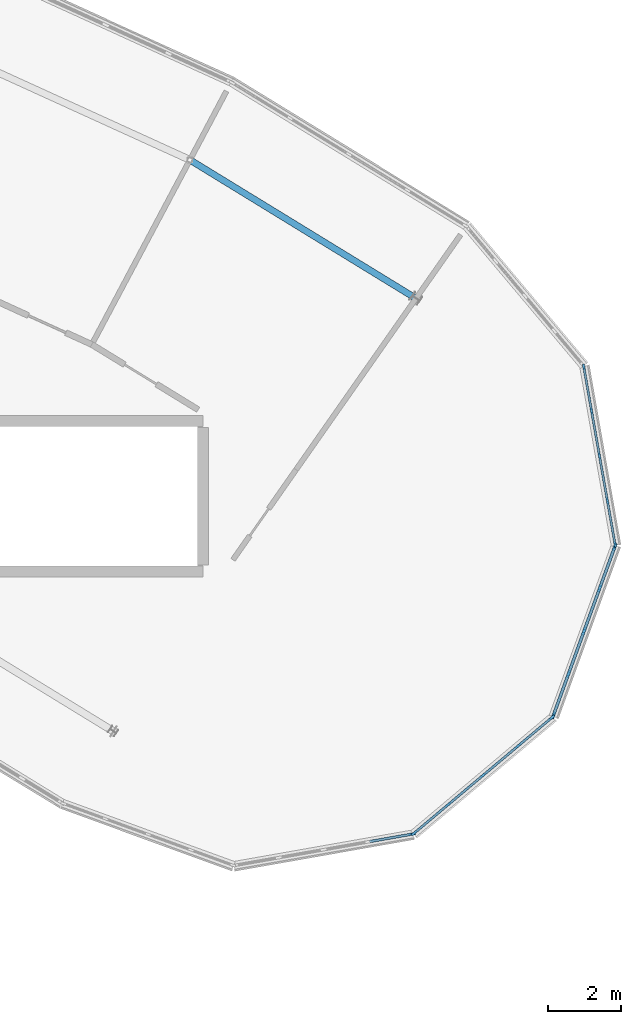
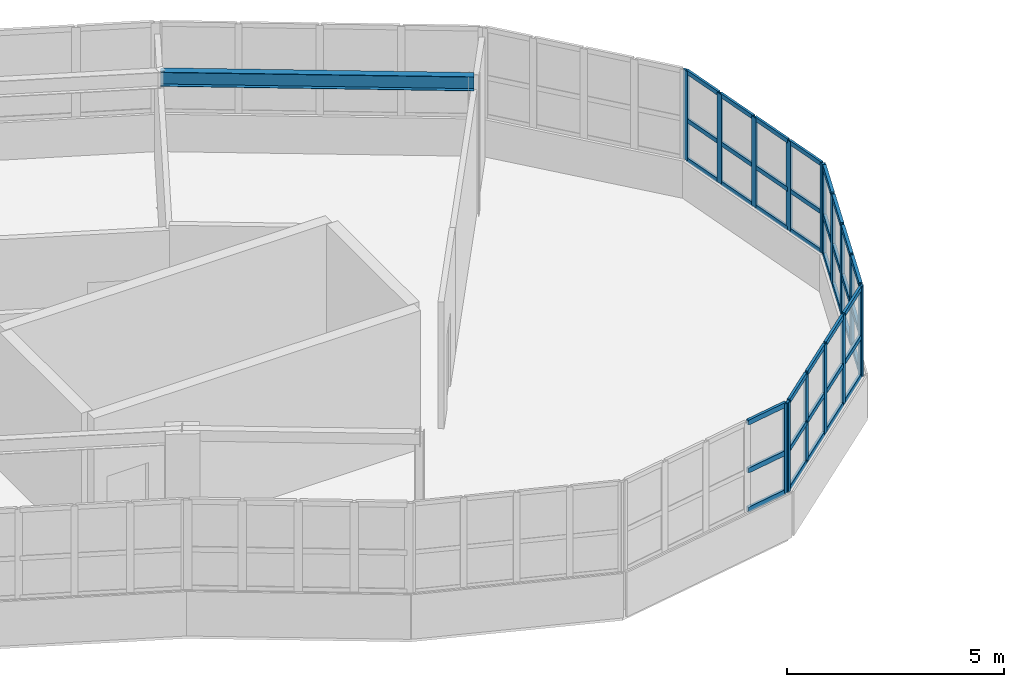
# One storey, part 13 of 26: 55 members, 1 beam, 4 elements without a shape of their own.
"""IFC4 building model written with IfcOpenShell, lengths in metres."""

import ifcopenshell
import ifcopenshell.guid

model = None  # the IFC model being written
_history = None  # IfcOwnerHistory: only IFC2X3 demands one
_inside = {}  # id of a spatial element -> (the spatial element, [elements in it])
_under = {}  # id of a project, library or spatial element -> (it, [spatial elements below it])
_declared = {}  # id of a project -> (the project, [libraries it declares])
_typed = {}  # id of a type object -> (the type object, [elements of that type])
_made_of = {}  # id of a material, layer set ... -> (it, [elements and type objects made of it])


def new_model(schema):
    """Start an empty IFC model of exactly this schema.

    Asked for "IFC4X3", IfcOpenShell would pick the latest addendum, in which some entities
    have other attributes; the version numbers below select the first issue.
    IFC2X3 requires an IfcOwnerHistory on every rooted entity: one is made here for all.
    """
    global model, _history
    if schema == "IFC4X3":
        model = ifcopenshell.file(schema_version=(4, 3, 0, 0))
    else:
        model = ifcopenshell.file(schema=schema)
    _inside.clear()
    _under.clear()
    _declared.clear()
    _typed.clear()
    _made_of.clear()
    _history = None
    if model.schema == "IFC2X3":
        org = make("IfcOrganization", Name="unknown")
        user = make(
            "IfcPersonAndOrganization",
            ThePerson=make("IfcPerson", FamilyName="unknown"),
            TheOrganization=org,
        )
        app = make(
            "IfcApplication",
            ApplicationDeveloper=org,
            Version="unknown",
            ApplicationFullName="unknown",
            ApplicationIdentifier="unknown",
        )
        _history = make(
            "IfcOwnerHistory",
            OwningUser=user,
            OwningApplication=app,
            ChangeAction="ADDED",
            CreationDate=0,
        )
    return model


def make(cls, **values):
    """One entity of the class cls with the attributes given. An attribute that is None is left unset."""
    return model.create_entity(
        cls, **{name: value for name, value in values.items() if value is not None}
    )


def rooted(cls, **values):
    """An entity with a GlobalId (a new one), such as an element, a storey or a relation."""
    return make(cls, GlobalId=ifcopenshell.guid.new(), OwnerHistory=_history, **values)


def si_unit(unit_type, name, prefix=None):
    """IfcSIUnit, for example si_unit("LENGTHUNIT", "METRE", prefix="MILLI")."""
    return make("IfcSIUnit", UnitType=unit_type, Prefix=prefix, Name=name)


def assignment(units):
    """IfcUnitAssignment: the units of a project."""
    return None if units is None else make("IfcUnitAssignment", Units=units)


def point(xyz):
    """IfcCartesianPoint."""
    return None if xyz is None else make("IfcCartesianPoint", Coordinates=xyz)


def direction(xyz):
    """IfcDirection."""
    return None if xyz is None else make("IfcDirection", DirectionRatios=xyz)


def frame(location, z_axis=None, x_axis=None):
    """IfcAxis2Placement3D, a coordinate frame: its origin and axes. An axis left out is left unset."""
    return make(
        "IfcAxis2Placement3D",
        Location=point(location),
        Axis=direction(z_axis),
        RefDirection=direction(x_axis),
    )


def frame_2d(location, x_axis=None):
    """IfcAxis2Placement2D, a coordinate frame in the plane: its origin and x axis."""
    return make(
        "IfcAxis2Placement2D", Location=point(location), RefDirection=direction(x_axis)
    )


def origin():
    """The frame at (0, 0, 0) with its axes left unset."""
    return frame((0.0, 0.0, 0.0))


def origin_2d():
    """The frame at (0, 0) in the plane with its x axis left unset."""
    return frame_2d((0.0, 0.0))


def place(relative_to, where):
    """IfcLocalPlacement: puts the frame where relative to a parent placement (None: the world)."""
    return make(
        "IfcLocalPlacement", PlacementRelTo=relative_to, RelativePlacement=where
    )


def context(
    kind, dimensions, precision=None, world=None, true_north=None, identifier=None
):
    """IfcGeometricRepresentationContext, for example the 3D "Model" context."""
    return make(
        "IfcGeometricRepresentationContext",
        ContextIdentifier=identifier,
        ContextType=kind,
        CoordinateSpaceDimension=dimensions,
        Precision=precision,
        WorldCoordinateSystem=world,
        TrueNorth=true_north,
    )


def subcontext(parent, identifier, kind, view, scale=None):
    """IfcGeometricRepresentationSubContext, for example "Body" below "Model"."""
    return make(
        "IfcGeometricRepresentationSubContext",
        ContextIdentifier=identifier,
        ContextType=kind,
        ParentContext=parent,
        TargetScale=scale,
        TargetView=view,
    )


def project(units=None, contexts=None):
    """IfcProject with its units and contexts."""
    return rooted(
        "IfcProject",
        Name="project",
        RepresentationContexts=contexts,
        UnitsInContext=assignment(units),
    )


def spatial(cls, under=None, at=None, **own):
    """A site, building, storey or space (cls), placed at a placement, below another one or the project."""
    s = rooted(cls, ObjectPlacement=at, **own)
    if under is not None:
        _under.setdefault(under.id(), (under, []))[1].append(s)
    return s


def profile(cls, at=None, kind="AREA", **sizes):
    """A parametric profile (cls). Its sizes go by their IFC names, for example OverallWidth=200.0."""
    return make(cls, ProfileType=kind, Position=at, **sizes)


def rectangle(**sizes):
    """IfcRectangleProfileDef."""
    return profile("IfcRectangleProfileDef", **sizes)


def i_section(**sizes):
    """IfcIShapeProfileDef."""
    return profile("IfcIShapeProfileDef", **sizes)


def extrude(swept, where, along, depth):
    """IfcExtrudedAreaSolid: the profile swept, set in the frame where, extruded along a direction by depth."""
    return make(
        "IfcExtrudedAreaSolid",
        SweptArea=swept,
        Position=where,
        ExtrudedDirection=direction(along),
        Depth=depth,
    )


def shape(context_of_items, identifier, shape_type, items):
    """IfcShapeRepresentation: the items that make up one representation, for example the "Body"."""
    return make(
        "IfcShapeRepresentation",
        ContextOfItems=context_of_items,
        RepresentationIdentifier=identifier,
        RepresentationType=shape_type,
        Items=items,
    )


def material(Name=None, Category=None):
    """IfcMaterial."""
    return make("IfcMaterial", Name=Name, Category=Category)


def layer(
    of_material, thickness, ventilated=None, Name=None, Category=None, Priority=None
):
    """IfcMaterialLayer: one layer of a wall or slab, of a material (None: an air gap)."""
    return make(
        "IfcMaterialLayer",
        Material=of_material,
        LayerThickness=thickness,
        IsVentilated=ventilated,
        Name=Name,
        Category=Category,
        Priority=Priority,
    )


def layer_set(layers, Name=None):
    """IfcMaterialLayerSet."""
    return make("IfcMaterialLayerSet", MaterialLayers=layers, LayerSetName=Name)


def material_profile(
    of_material, cross_section, Name=None, Category=None, Priority=None
):
    """IfcMaterialProfile: a cross section and its material."""
    return make(
        "IfcMaterialProfile",
        Name=Name,
        Material=of_material,
        Profile=cross_section,
        Priority=Priority,
        Category=Category,
    )


def profile_set(profiles, Name=None, composite=None):
    """IfcMaterialProfileSet."""
    return make(
        "IfcMaterialProfileSet",
        Name=Name,
        MaterialProfiles=profiles,
        CompositeProfile=composite,
    )


def made_of(thing, what):
    """Note that an element or type object is made of a material, layer set ...; save() writes the relation."""
    if what is not None:
        _made_of.setdefault(what.id(), (what, []))[1].append(thing)
    return thing


def type_object(cls, material=None, **own):
    """A type object (cls), such as IfcWallType, which elements share."""
    return made_of(rooted(cls, **own), material)


def element(
    cls,
    number,
    at=None,
    inside=None,
    cuts=None,
    type_object=None,
    material=None,
    context=None,
    identifier="Body",
    shape_type=None,
    held_by="IfcProductDefinitionShape",
    body=None,
    shapes=None,
    **own,
):
    """One element of the class cls, such as IfcWall. Its Tag is "e" and its number.

    at: its placement. inside: the storey or other place that contains it. cuts: it is an
    opening in that element (IfcRelVoidsElement). A single representation is given by context,
    identifier, shape_type and body (its items); several are given by shapes. held_by: the class
    of the entity that holds the representations. save() writes the other relations.
    """
    e = rooted(cls, Tag="e%d" % number, ObjectPlacement=at, **own)
    if body is not None:
        shapes = [shape(context, identifier, shape_type, body)]
    if shapes is not None:
        e.Representation = make(held_by, Representations=shapes)
    if inside is not None:
        _inside.setdefault(inside.id(), (inside, []))[1].append(e)
    if cuts is not None:
        rooted(
            "IfcRelVoidsElement", RelatingBuildingElement=cuts, RelatedOpeningElement=e
        )
    if type_object is not None:
        _typed.setdefault(type_object.id(), (type_object, []))[1].append(e)
    return made_of(e, material)


def aggregate(whole, parts):
    """IfcRelAggregates: a whole, such as a stair, and the parts it consists of."""
    return rooted("IfcRelAggregates", RelatingObject=whole, RelatedObjects=parts)


def save(model, path):
    """Write the relations noted so far, then the file.

    IfcRelAggregates (storeys below a building ...), IfcRelContainedInSpatialStructure (elements
    in a storey), IfcRelDefinesByType, IfcRelAssociatesMaterial and IfcRelDeclares: one each for
    every whole, place, type object, material and project.
    """
    for whole, parts in _under.values():
        aggregate(whole, parts)
    for where, things in _inside.values():
        rooted(
            "IfcRelContainedInSpatialStructure",
            RelatedElements=things,
            RelatingStructure=where,
        )
    for kind, things in _typed.values():
        rooted("IfcRelDefinesByType", RelatedObjects=things, RelatingType=kind)
    for what, things in _made_of.values():
        rooted("IfcRelAssociatesMaterial", RelatedObjects=things, RelatingMaterial=what)
    for by, libraries in _declared.values():
        rooted("IfcRelDeclares", RelatingContext=by, RelatedDefinitions=libraries)
    model.write(path)


model = new_model("IFC4")

# Units and contexts
model_context = context("Model", 3, precision=1e-05, world=origin(), true_north=direction((0.0, 1.0)))
body_context = subcontext(model_context, "Body", "Model", "MODEL_VIEW")
ifc_project = project(units=[si_unit("LENGTHUNIT", "METRE"), si_unit("AREAUNIT", "SQUARE_METRE"), si_unit("VOLUMEUNIT", "CUBIC_METRE"), si_unit("PLANEANGLEUNIT", "RADIAN"), si_unit("MASSUNIT", "GRAM", prefix="KILO")], contexts=[model_context])

# Site, building, storey
site_placement = place(None, origin())
site = spatial("IfcSite", under=ifc_project, at=site_placement, CompositionType="ELEMENT")
building_placement = place(site_placement, origin())
building = spatial("IfcBuilding", under=site, at=building_placement, Name="Tarnwether General Hospital", CompositionType="ELEMENT")
storey_placement = place(building_placement, frame((0.0, 0.0, 30.0)))
storey = spatial("IfcBuildingStorey", under=building, at=storey_placement, Name="L07", CompositionType="ELEMENT", Elevation=30.0)

# Beam
ifc_material_1 = material(Name="Steel Grade 350 (350 MPa)", Category="steel")
ifc_material_profile_1 = material_profile(ifc_material_1, i_section(OverallWidth=0.177978515625, OverallDepth=0.403076171875, WebThickness=0.007568359375, FlangeThickness=0.010986328125, at=origin_2d()), Name="410UB53.7")
ifc_profile_set_1 = profile_set([ifc_material_profile_1], Name="Steel Grade 350 (350 MPa)")
beam_type = type_object("IfcBeamType", Name="BM-SP2", PredefinedType="SPANDREL", material=ifc_profile_set_1)
beam_placement = place(storey_placement, frame((119.79296875, 115.27001953125, 3.698486328125), z_axis=(0.852678430503, -0.522436114902, 0.0), x_axis=(0.522436114902, 0.852678430503, 0.0)))
element("IfcBeam", 1, at=beam_placement, inside=storey, type_object=beam_type, Name="Curved Ward NW Outer Spandrel BMG-L07-11979_11527-12596_11149-2065", PredefinedType="SPANDREL", context=body_context, shape_type="SweptSolid", body=[
    extrude(i_section(OverallWidth=0.177978515625, OverallDepth=0.403076171875, WebThickness=0.007568359375, FlangeThickness=0.010986328125, at=origin_2d()), origin(), (0.0, 0.0, 1.0), 7.22802734375),
])

# Curtain wall, members
ifc_material_2 = material(Name="Anodised aluminium", Category="aluminium")
ifc_layer = layer(ifc_material_2, 0.159912109375)
ifc_layer_set = layer_set([ifc_layer], Name="Anodised aluminium")
curtain_wall_type = type_object("IfcCurtainWallType", Name="CW-03", PredefinedType="NOTDEFINED", material=ifc_layer_set)
curtain_wall_1_placement = place(storey_placement, origin())
curtain_wall_1 = element("IfcCurtainWall", 2, at=curtain_wall_1_placement, inside=storey, type_object=curtain_wall_type, Name="Curtain Wall CWG-L07-1305_1097-0144", PredefinedType="NOTDEFINED")
ifc_material_3 = material(Name="Anodised aluminium", Category="aluminium")
ifc_material_profile_2 = material_profile(ifc_material_3, rectangle(XDim=0.06005859375, YDim=0.159912109375, at=origin_2d()), Name="ALU-MUL-60x160")
ifc_profile_set_2 = profile_set([ifc_material_profile_2], Name="Anodised aluminium")
member_type_1 = type_object("IfcMemberType", Name="CW-ML1", PredefinedType="MULLION", material=ifc_profile_set_2)
member_1_placement = place(storey_placement, frame((130.5322265625, 109.62353515625, 1.050048828125), z_axis=(0.0, 0.0, 1.0), x_axis=(0.984840230098, 0.173463890135, 0.0)))
member_1 = element("IfcMember", 3, at=member_1_placement, type_object=member_type_1, Name="CW-03 mullion 1", PredefinedType="MULLION", context=body_context, shape_type="SweptSolid", body=[
    extrude(rectangle(XDim=0.06005859375, YDim=0.159912109375, at=origin_2d()), origin(), (0.0, 0.0, 1.0), 2.52001953125),
])
member_2_placement = place(storey_placement, frame((130.742431640625, 108.429443359375, 1.050048828125), z_axis=(0.0, 0.0, 1.0), x_axis=(0.984840230098, 0.173463890135, 0.0)))
member_2 = element("IfcMember", 4, at=member_2_placement, type_object=member_type_1, Name="CW-03 mullion 2", PredefinedType="MULLION", context=body_context, shape_type="SweptSolid", body=[
    extrude(rectangle(XDim=0.06005859375, YDim=0.159912109375, at=origin_2d()), origin(), (0.0, 0.0, 1.0), 2.52001953125),
])
member_3_placement = place(storey_placement, frame((130.9580078125, 107.2060546875, 1.050048828125), z_axis=(0.0, 0.0, 1.0), x_axis=(0.984840230098, 0.173463890135, 0.0)))
member_3 = element("IfcMember", 5, at=member_3_placement, type_object=member_type_1, Name="CW-03 mullion 3", PredefinedType="MULLION", context=body_context, shape_type="SweptSolid", body=[
    extrude(rectangle(XDim=0.06005859375, YDim=0.159912109375, at=origin_2d()), origin(), (0.0, 0.0, 1.0), 2.52001953125),
])
member_4_placement = place(storey_placement, frame((131.173583984375, 105.982421875, 1.050048828125), z_axis=(0.0, 0.0, 1.0), x_axis=(0.984840230098, 0.173463890135, 0.0)))
member_4 = element("IfcMember", 6, at=member_4_placement, type_object=member_type_1, Name="CW-03 mullion 4", PredefinedType="MULLION", context=body_context, shape_type="SweptSolid", body=[
    extrude(rectangle(XDim=0.06005859375, YDim=0.159912109375, at=origin_2d()), origin(), (0.0, 0.0, 1.0), 2.52001953125),
])
member_5_placement = place(storey_placement, frame((131.3837890625, 104.78857421875, 1.050048828125), z_axis=(0.0, 0.0, 1.0), x_axis=(0.984840230098, 0.173463890135, 0.0)))
member_5 = element("IfcMember", 7, at=member_5_placement, type_object=member_type_1, Name="CW-03 mullion 5", PredefinedType="MULLION", context=body_context, shape_type="SweptSolid", body=[
    extrude(rectangle(XDim=0.06005859375, YDim=0.159912109375, at=origin_2d()), origin(), (0.0, 0.0, 1.0), 2.52001953125),
])

# Curtain wall, member
curtain_wall_2_placement = place(storey_placement, origin())
curtain_wall_2 = element("IfcCurtainWall", 8, at=curtain_wall_2_placement, inside=storey, type_object=curtain_wall_type, Name="Curtain Wall CWG-L07-1259_969-0141", PredefinedType="NOTDEFINED")
ifc_material_4 = material(Name="Anodised aluminium", Category="aluminium")
ifc_material_profile_3 = material_profile(ifc_material_4, rectangle(XDim=0.070068359375, YDim=0.179931640625, at=origin_2d()), Name="ALU-MUL-70x180")
ifc_profile_set_3 = profile_set([ifc_material_profile_3], Name="Anodised aluminium")
member_type_2 = type_object("IfcMemberType", Name="CW-ML2", PredefinedType="MULLION", material=ifc_profile_set_3)
member_6_placement = place(storey_placement, frame((125.8486328125, 96.888916015625, 1.050048828125), z_axis=(0.0, 0.0, 1.0), x_axis=(0.173659059054, -0.984805834268, 0.0)))
member_6 = element("IfcMember", 9, at=member_6_placement, type_object=member_type_2, Name="CW-03 mullion 1", PredefinedType="MULLION", context=body_context, shape_type="SweptSolid", body=[
    extrude(rectangle(XDim=0.070068359375, YDim=0.179931640625, at=origin_2d()), origin(), (0.0, 0.0, 1.0), 2.52001953125),
])

# Curtain wall, members
curtain_wall_3_placement = place(storey_placement, origin())
curtain_wall_3 = element("IfcCurtainWall", 10, at=curtain_wall_3_placement, inside=storey, type_object=curtain_wall_type, Name="Curtain Wall CWG-L07-1297_1001-0142", PredefinedType="NOTDEFINED")
ifc_material_5 = material(Name="Anodised aluminium", Category="aluminium")
ifc_material_profile_4 = material_profile(ifc_material_5, rectangle(XDim=0.06494140625, YDim=0.169921875, at=origin_2d()), Name="ALU-MUL-65x170")
ifc_profile_set_4 = profile_set([ifc_material_profile_4], Name="Anodised aluminium")
member_type_3 = type_object("IfcMemberType", Name="CW-ML3", PredefinedType="MULLION", material=ifc_profile_set_4)
member_7_placement = place(storey_placement, frame((129.6650390625, 100.069091796875, 1.050048828125), z_axis=(0.0, 0.0, 1.0), x_axis=(0.64285227611, -0.765990176896, 0.0)))
member_7 = element("IfcMember", 11, at=member_7_placement, type_object=member_type_3, Name="CW-03 mullion 1", PredefinedType="MULLION", context=body_context, shape_type="SweptSolid", body=[
    extrude(rectangle(XDim=0.06494140625, YDim=0.169921875, at=origin_2d()), origin(), (0.0, 0.0, 1.0), 2.52001953125),
])
member_8_placement = place(storey_placement, frame((128.73828125, 99.291259765625, 1.050048828125), z_axis=(0.0, 0.0, 1.0), x_axis=(0.64285227611, -0.765990176896, 0.0)))
member_8 = element("IfcMember", 12, at=member_8_placement, type_object=member_type_3, Name="CW-03 mullion 2", PredefinedType="MULLION", context=body_context, shape_type="SweptSolid", body=[
    extrude(rectangle(XDim=0.06494140625, YDim=0.169921875, at=origin_2d()), origin(), (0.0, 0.0, 1.0), 2.52001953125),
])
member_9_placement = place(storey_placement, frame((127.78662109375, 98.492431640625, 1.050048828125), z_axis=(0.0, 0.0, 1.0), x_axis=(0.64285227611, -0.765990176896, 0.0)))
member_9 = element("IfcMember", 13, at=member_9_placement, type_object=member_type_3, Name="CW-03 mullion 3", PredefinedType="MULLION", context=body_context, shape_type="SweptSolid", body=[
    extrude(rectangle(XDim=0.06494140625, YDim=0.169921875, at=origin_2d()), origin(), (0.0, 0.0, 1.0), 2.52001953125),
])
member_10_placement = place(storey_placement, frame((126.834716796875, 97.69384765625, 1.050048828125), z_axis=(0.0, 0.0, 1.0), x_axis=(0.64285227611, -0.765990176896, 0.0)))
member_10 = element("IfcMember", 14, at=member_10_placement, type_object=member_type_3, Name="CW-03 mullion 4", PredefinedType="MULLION", context=body_context, shape_type="SweptSolid", body=[
    extrude(rectangle(XDim=0.06494140625, YDim=0.169921875, at=origin_2d()), origin(), (0.0, 0.0, 1.0), 2.52001953125),
])
member_11_placement = place(storey_placement, frame((125.907958984375, 96.915771484375, 1.050048828125), z_axis=(0.0, 0.0, 1.0), x_axis=(0.64285227611, -0.765990176896, 0.0)))
member_11 = element("IfcMember", 15, at=member_11_placement, type_object=member_type_3, Name="CW-03 mullion 5", PredefinedType="MULLION", context=body_context, shape_type="SweptSolid", body=[
    extrude(rectangle(XDim=0.06494140625, YDim=0.169921875, at=origin_2d()), origin(), (0.0, 0.0, 1.0), 2.52001953125),
])

curtain_wall_4_placement = place(storey_placement, origin())
curtain_wall_4 = element("IfcCurtainWall", 16, at=curtain_wall_4_placement, inside=storey, type_object=curtain_wall_type, Name="Curtain Wall CWG-L07-1314_1048-0143", PredefinedType="NOTDEFINED")
ifc_material_6 = material(Name="Anodised aluminium", Category="aluminium")
ifc_material_profile_5 = material_profile(ifc_material_6, rectangle(XDim=0.080078125, YDim=0.199951171875, at=origin_2d()), Name="ALU-MUL-80x200")
ifc_profile_set_5 = profile_set([ifc_material_profile_5], Name="Anodised aluminium")
member_type_4 = type_object("IfcMemberType", Name="CW-ML4", PredefinedType="MULLION", material=ifc_profile_set_5)
member_12_placement = place(storey_placement, frame((131.375244140625, 104.721435546875, 1.050048828125), z_axis=(0.0, 0.0, 1.0), x_axis=(0.939717006582, -0.341953136469, 0.0)))
member_12 = element("IfcMember", 17, at=member_12_placement, type_object=member_type_4, Name="CW-03 mullion 1", PredefinedType="MULLION", context=body_context, shape_type="SweptSolid", body=[
    extrude(rectangle(XDim=0.080078125, YDim=0.199951171875, at=origin_2d()), origin(), (0.0, 0.0, 1.0), 2.52001953125),
])
member_13_placement = place(storey_placement, frame((130.96435546875, 103.591796875, 1.050048828125), z_axis=(0.0, 0.0, 1.0), x_axis=(0.939717006582, -0.341953136469, 0.0)))
member_13 = element("IfcMember", 18, at=member_13_placement, type_object=member_type_4, Name="CW-03 mullion 2", PredefinedType="MULLION", context=body_context, shape_type="SweptSolid", body=[
    extrude(rectangle(XDim=0.080078125, YDim=0.199951171875, at=origin_2d()), origin(), (0.0, 0.0, 1.0), 2.52001953125),
])
member_14_placement = place(storey_placement, frame((130.53955078125, 102.424560546875, 1.050048828125), z_axis=(0.0, 0.0, 1.0), x_axis=(0.939717006582, -0.341953136469, 0.0)))
member_14 = element("IfcMember", 19, at=member_14_placement, type_object=member_type_4, Name="CW-03 mullion 3", PredefinedType="MULLION", context=body_context, shape_type="SweptSolid", body=[
    extrude(rectangle(XDim=0.080078125, YDim=0.199951171875, at=origin_2d()), origin(), (0.0, 0.0, 1.0), 2.52001953125),
])
member_15_placement = place(storey_placement, frame((130.11474609375, 101.25732421875, 1.050048828125), z_axis=(0.0, 0.0, 1.0), x_axis=(0.939717006582, -0.341953136469, 0.0)))
member_15 = element("IfcMember", 20, at=member_15_placement, type_object=member_type_4, Name="CW-03 mullion 4", PredefinedType="MULLION", context=body_context, shape_type="SweptSolid", body=[
    extrude(rectangle(XDim=0.080078125, YDim=0.199951171875, at=origin_2d()), origin(), (0.0, 0.0, 1.0), 2.52001953125),
])
member_16_placement = place(storey_placement, frame((129.70361328125, 100.127685546875, 1.050048828125), z_axis=(0.0, 0.0, 1.0), x_axis=(0.939717006582, -0.341953136469, 0.0)))
member_16 = element("IfcMember", 21, at=member_16_placement, type_object=member_type_4, Name="CW-03 mullion 5", PredefinedType="MULLION", context=body_context, shape_type="SweptSolid", body=[
    extrude(rectangle(XDim=0.080078125, YDim=0.199951171875, at=origin_2d()), origin(), (0.0, 0.0, 1.0), 2.52001953125),
])

# Member
ifc_material_7 = material(Name="Anodised aluminium", Category="aluminium")
ifc_material_profile_6 = material_profile(ifc_material_7, rectangle(XDim=0.06005859375, YDim=0.1201171875, at=origin_2d()), Name="ALU-TRN-60x120")
ifc_profile_set_6 = profile_set([ifc_material_profile_6], Name="Anodised aluminium")
member_type_5 = type_object("IfcMemberType", Name="CW-TR1", PredefinedType="USERDEFINED", material=ifc_profile_set_6)
member_17_placement = place(storey_placement, frame((130.537353515625, 109.593994140625, 1.080078125), z_axis=(0.173495293185, -0.984834698435, 0.0), x_axis=(0.984834698435, 0.173495293185, 0.0)))
member_17 = element("IfcMember", 22, at=member_17_placement, type_object=member_type_5, Name="CW-03 transom 1.1", ObjectType="TRANSOM", PredefinedType="USERDEFINED", context=body_context, shape_type="SweptSolid", body=[
    extrude(rectangle(XDim=0.06005859375, YDim=0.1201171875, at=origin_2d()), origin(), (0.0, 0.0, 1.0), 1.152587890625),
])

member_18_placement = place(storey_placement, frame((130.537353515625, 109.593994140625, 2.18408203125), z_axis=(0.173495293185, -0.984834698435, 0.0), x_axis=(0.984834698435, 0.173495293185, 0.0)))
member_18 = element("IfcMember", 23, at=member_18_placement, type_object=member_type_5, Name="CW-03 transom 1.2", ObjectType="TRANSOM", PredefinedType="USERDEFINED", context=body_context, shape_type="SweptSolid", body=[
    extrude(rectangle(XDim=0.06005859375, YDim=0.1201171875, at=origin_2d()), origin(), (0.0, 0.0, 1.0), 1.152587890625),
])

member_19_placement = place(storey_placement, frame((130.537353515625, 109.593994140625, 3.5400390625), z_axis=(0.173495293185, -0.984834698435, 0.0), x_axis=(0.984834698435, 0.173495293185, 0.0)))
member_19 = element("IfcMember", 24, at=member_19_placement, type_object=member_type_5, Name="CW-03 transom 1.3", ObjectType="TRANSOM", PredefinedType="USERDEFINED", context=body_context, shape_type="SweptSolid", body=[
    extrude(rectangle(XDim=0.06005859375, YDim=0.1201171875, at=origin_2d()), origin(), (0.0, 0.0, 1.0), 1.152587890625),
])

member_20_placement = place(storey_placement, frame((130.747802734375, 108.39990234375, 1.080078125), z_axis=(0.173467246121, -0.984839638989, 0.0), x_axis=(0.984839638989, 0.173467246121, 0.0)))
member_20 = element("IfcMember", 25, at=member_20_placement, type_object=member_type_5, Name="CW-03 transom 2.1", ObjectType="TRANSOM", PredefinedType="USERDEFINED", context=body_context, shape_type="SweptSolid", body=[
    extrude(rectangle(XDim=0.06005859375, YDim=0.1201171875, at=origin_2d()), origin(), (0.0, 0.0, 1.0), 1.18212890625),
])

member_21_placement = place(storey_placement, frame((130.747802734375, 108.39990234375, 2.18408203125), z_axis=(0.173467246121, -0.984839638989, 0.0), x_axis=(0.984839638989, 0.173467246121, 0.0)))
member_21 = element("IfcMember", 26, at=member_21_placement, type_object=member_type_5, Name="CW-03 transom 2.2", ObjectType="TRANSOM", PredefinedType="USERDEFINED", context=body_context, shape_type="SweptSolid", body=[
    extrude(rectangle(XDim=0.06005859375, YDim=0.1201171875, at=origin_2d()), origin(), (0.0, 0.0, 1.0), 1.18212890625),
])

member_22_placement = place(storey_placement, frame((130.747802734375, 108.39990234375, 3.5400390625), z_axis=(0.173467246121, -0.984839638989, 0.0), x_axis=(0.984839638989, 0.173467246121, 0.0)))
member_22 = element("IfcMember", 27, at=member_22_placement, type_object=member_type_5, Name="CW-03 transom 2.3", ObjectType="TRANSOM", PredefinedType="USERDEFINED", context=body_context, shape_type="SweptSolid", body=[
    extrude(rectangle(XDim=0.06005859375, YDim=0.1201171875, at=origin_2d()), origin(), (0.0, 0.0, 1.0), 1.18212890625),
])

member_23_placement = place(storey_placement, frame((130.963134765625, 107.176513671875, 1.080078125), z_axis=(0.173431973782, -0.984845851121, 0.0), x_axis=(0.984845851121, 0.173431973782, 0.0)))
member_23 = element("IfcMember", 28, at=member_23_placement, type_object=member_type_5, Name="CW-03 transom 3.1", ObjectType="TRANSOM", PredefinedType="USERDEFINED", context=body_context, shape_type="SweptSolid", body=[
    extrude(rectangle(XDim=0.06005859375, YDim=0.1201171875, at=origin_2d()), origin(), (0.0, 0.0, 1.0), 1.182373046875),
])

member_24_placement = place(storey_placement, frame((130.963134765625, 107.176513671875, 2.18408203125), z_axis=(0.173431973782, -0.984845851121, 0.0), x_axis=(0.984845851121, 0.173431973782, 0.0)))
member_24 = element("IfcMember", 29, at=member_24_placement, type_object=member_type_5, Name="CW-03 transom 3.2", ObjectType="TRANSOM", PredefinedType="USERDEFINED", context=body_context, shape_type="SweptSolid", body=[
    extrude(rectangle(XDim=0.06005859375, YDim=0.1201171875, at=origin_2d()), origin(), (0.0, 0.0, 1.0), 1.182373046875),
])

member_25_placement = place(storey_placement, frame((130.963134765625, 107.176513671875, 3.5400390625), z_axis=(0.173431973782, -0.984845851121, 0.0), x_axis=(0.984845851121, 0.173431973782, 0.0)))
member_25 = element("IfcMember", 30, at=member_25_placement, type_object=member_type_5, Name="CW-03 transom 3.3", ObjectType="TRANSOM", PredefinedType="USERDEFINED", context=body_context, shape_type="SweptSolid", body=[
    extrude(rectangle(XDim=0.06005859375, YDim=0.1201171875, at=origin_2d()), origin(), (0.0, 0.0, 1.0), 1.182373046875),
])

member_26_placement = place(storey_placement, frame((131.1787109375, 105.952880859375, 1.080078125), z_axis=(0.173531496142, -0.984828319986, 0.0), x_axis=(0.984828319986, 0.173531496142, 0.0)))
member_26 = element("IfcMember", 31, at=member_26_placement, type_object=member_type_5, Name="CW-03 transom 4.1", ObjectType="TRANSOM", PredefinedType="USERDEFINED", context=body_context, shape_type="SweptSolid", body=[
    extrude(rectangle(XDim=0.06005859375, YDim=0.1201171875, at=origin_2d()), origin(), (0.0, 0.0, 1.0), 1.15234375),
])

member_27_placement = place(storey_placement, frame((131.1787109375, 105.952880859375, 2.18408203125), z_axis=(0.173531496142, -0.984828319986, 0.0), x_axis=(0.984828319986, 0.173531496142, 0.0)))
member_27 = element("IfcMember", 32, at=member_27_placement, type_object=member_type_5, Name="CW-03 transom 4.2", ObjectType="TRANSOM", PredefinedType="USERDEFINED", context=body_context, shape_type="SweptSolid", body=[
    extrude(rectangle(XDim=0.06005859375, YDim=0.1201171875, at=origin_2d()), origin(), (0.0, 0.0, 1.0), 1.15234375),
])

member_28_placement = place(storey_placement, frame((131.1787109375, 105.952880859375, 3.5400390625), z_axis=(0.173531496142, -0.984828319986, 0.0), x_axis=(0.984828319986, 0.173531496142, 0.0)))
member_28 = element("IfcMember", 33, at=member_28_placement, type_object=member_type_5, Name="CW-03 transom 4.3", ObjectType="TRANSOM", PredefinedType="USERDEFINED", context=body_context, shape_type="SweptSolid", body=[
    extrude(rectangle(XDim=0.06005859375, YDim=0.1201171875, at=origin_2d()), origin(), (0.0, 0.0, 1.0), 1.15234375),
])

aggregate(curtain_wall_1, [member_1, member_2, member_3, member_4, member_5, member_17, member_18, member_19, member_20, member_21, member_22, member_23, member_24, member_25, member_26, member_27, member_28])

ifc_material_8 = material(Name="Anodised aluminium", Category="aluminium")
ifc_material_profile_7 = material_profile(ifc_material_8, rectangle(XDim=0.070068359375, YDim=0.139892578125, at=origin_2d()), Name="ALU-TRN-70x140")
ifc_profile_set_7 = profile_set([ifc_material_profile_7], Name="Anodised aluminium")
member_type_6 = type_object("IfcMemberType", Name="CW-TR2", PredefinedType="USERDEFINED", material=ifc_profile_set_7)
member_29_placement = place(storey_placement, frame((125.81396484375, 96.8828125, 1.0849609375), z_axis=(-0.984807319407, -0.173650636748, 0.0), x_axis=(0.173650636748, -0.984807319407, 0.0)))
member_29 = element("IfcMember", 34, at=member_29_placement, type_object=member_type_6, Name="CW-03 transom 1.1", ObjectType="TRANSOM", PredefinedType="USERDEFINED", context=body_context, shape_type="SweptSolid", body=[
    extrude(rectangle(XDim=0.070068359375, YDim=0.139892578125, at=origin_2d()), origin(), (0.0, 0.0, 1.0), 1.137451171875),
])

member_30_placement = place(storey_placement, frame((125.81396484375, 96.8828125, 2.18408203125), z_axis=(-0.984807319407, -0.173650636748, 0.0), x_axis=(0.173650636748, -0.984807319407, 0.0)))
member_30 = element("IfcMember", 35, at=member_30_placement, type_object=member_type_6, Name="CW-03 transom 1.2", ObjectType="TRANSOM", PredefinedType="USERDEFINED", context=body_context, shape_type="SweptSolid", body=[
    extrude(rectangle(XDim=0.070068359375, YDim=0.139892578125, at=origin_2d()), origin(), (0.0, 0.0, 1.0), 1.137451171875),
])

member_31_placement = place(storey_placement, frame((125.81396484375, 96.8828125, 3.534912109375), z_axis=(-0.984807319407, -0.173650636748, 0.0), x_axis=(0.173650636748, -0.984807319407, 0.0)))
member_31 = element("IfcMember", 36, at=member_31_placement, type_object=member_type_6, Name="CW-03 transom 1.3", ObjectType="TRANSOM", PredefinedType="USERDEFINED", context=body_context, shape_type="SweptSolid", body=[
    extrude(rectangle(XDim=0.070068359375, YDim=0.139892578125, at=origin_2d()), origin(), (0.0, 0.0, 1.0), 1.137451171875),
])

aggregate(curtain_wall_2, [member_6, member_29, member_30, member_31])

ifc_material_9 = material(Name="Anodised aluminium", Category="aluminium")
ifc_material_profile_8 = material_profile(ifc_material_9, rectangle(XDim=0.06494140625, YDim=0.1298828125, at=origin_2d()), Name="ALU-TRN-65x130")
ifc_profile_set_8 = profile_set([ifc_material_profile_8], Name="Anodised aluminium")
member_type_7 = type_object("IfcMemberType", Name="CW-TR3", PredefinedType="USERDEFINED", material=ifc_profile_set_8)
member_32_placement = place(storey_placement, frame((129.64013671875, 100.048095703125, 1.08251953125), z_axis=(-0.766049260575, -0.642781868422, 0.0), x_axis=(0.642781868422, -0.766049260575, 0.0)))
member_32 = element("IfcMember", 37, at=member_32_placement, type_object=member_type_7, Name="CW-03 transom 1.1", ObjectType="TRANSOM", PredefinedType="USERDEFINED", context=body_context, shape_type="SweptSolid", body=[
    extrude(rectangle(XDim=0.06494140625, YDim=0.1298828125, at=origin_2d()), origin(), (0.0, 0.0, 1.0), 1.144775390625),
])

member_33_placement = place(storey_placement, frame((129.64013671875, 100.048095703125, 2.18408203125), z_axis=(-0.766049260575, -0.642781868422, 0.0), x_axis=(0.642781868422, -0.766049260575, 0.0)))
member_33 = element("IfcMember", 38, at=member_33_placement, type_object=member_type_7, Name="CW-03 transom 1.2", ObjectType="TRANSOM", PredefinedType="USERDEFINED", context=body_context, shape_type="SweptSolid", body=[
    extrude(rectangle(XDim=0.06494140625, YDim=0.1298828125, at=origin_2d()), origin(), (0.0, 0.0, 1.0), 1.144775390625),
])

member_34_placement = place(storey_placement, frame((129.64013671875, 100.048095703125, 3.53759765625), z_axis=(-0.766049260575, -0.642781868422, 0.0), x_axis=(0.642781868422, -0.766049260575, 0.0)))
member_34 = element("IfcMember", 39, at=member_34_placement, type_object=member_type_7, Name="CW-03 transom 1.3", ObjectType="TRANSOM", PredefinedType="USERDEFINED", context=body_context, shape_type="SweptSolid", body=[
    extrude(rectangle(XDim=0.06494140625, YDim=0.1298828125, at=origin_2d()), origin(), (0.0, 0.0, 1.0), 1.144775390625),
])

member_35_placement = place(storey_placement, frame((128.71337890625, 99.270263671875, 1.08251953125), z_axis=(-0.766092744107, -0.642730042418, 0.0), x_axis=(0.642730042418, -0.766092744107, 0.0)))
member_35 = element("IfcMember", 40, at=member_35_placement, type_object=member_type_7, Name="CW-03 transom 2.1", ObjectType="TRANSOM", PredefinedType="USERDEFINED", context=body_context, shape_type="SweptSolid", body=[
    extrude(rectangle(XDim=0.06494140625, YDim=0.1298828125, at=origin_2d()), origin(), (0.0, 0.0, 1.0), 1.177490234375),
])

member_36_placement = place(storey_placement, frame((128.71337890625, 99.270263671875, 2.18408203125), z_axis=(-0.766092744107, -0.642730042418, 0.0), x_axis=(0.642730042418, -0.766092744107, 0.0)))
member_36 = element("IfcMember", 41, at=member_36_placement, type_object=member_type_7, Name="CW-03 transom 2.2", ObjectType="TRANSOM", PredefinedType="USERDEFINED", context=body_context, shape_type="SweptSolid", body=[
    extrude(rectangle(XDim=0.06494140625, YDim=0.1298828125, at=origin_2d()), origin(), (0.0, 0.0, 1.0), 1.177490234375),
])

member_37_placement = place(storey_placement, frame((128.71337890625, 99.270263671875, 3.53759765625), z_axis=(-0.766092744107, -0.642730042418, 0.0), x_axis=(0.642730042418, -0.766092744107, 0.0)))
member_37 = element("IfcMember", 42, at=member_37_placement, type_object=member_type_7, Name="CW-03 transom 2.3", ObjectType="TRANSOM", PredefinedType="USERDEFINED", context=body_context, shape_type="SweptSolid", body=[
    extrude(rectangle(XDim=0.06494140625, YDim=0.1298828125, at=origin_2d()), origin(), (0.0, 0.0, 1.0), 1.177490234375),
])

member_38_placement = place(storey_placement, frame((127.76171875, 98.4716796875, 1.08251953125), z_axis=(-0.765990659542, -0.642851701012, 0.0), x_axis=(0.642851701012, -0.765990659542, 0.0)))
member_38 = element("IfcMember", 43, at=member_38_placement, type_object=member_type_7, Name="CW-03 transom 3.1", ObjectType="TRANSOM", PredefinedType="USERDEFINED", context=body_context, shape_type="SweptSolid", body=[
    extrude(rectangle(XDim=0.06494140625, YDim=0.1298828125, at=origin_2d()), origin(), (0.0, 0.0, 1.0), 1.177734375),
])

member_39_placement = place(storey_placement, frame((127.76171875, 98.4716796875, 2.18408203125), z_axis=(-0.765990659542, -0.642851701012, 0.0), x_axis=(0.642851701012, -0.765990659542, 0.0)))
member_39 = element("IfcMember", 44, at=member_39_placement, type_object=member_type_7, Name="CW-03 transom 3.2", ObjectType="TRANSOM", PredefinedType="USERDEFINED", context=body_context, shape_type="SweptSolid", body=[
    extrude(rectangle(XDim=0.06494140625, YDim=0.1298828125, at=origin_2d()), origin(), (0.0, 0.0, 1.0), 1.177734375),
])

member_40_placement = place(storey_placement, frame((127.76171875, 98.4716796875, 3.53759765625), z_axis=(-0.765990659542, -0.642851701012, 0.0), x_axis=(0.642851701012, -0.765990659542, 0.0)))
member_40 = element("IfcMember", 45, at=member_40_placement, type_object=member_type_7, Name="CW-03 transom 3.3", ObjectType="TRANSOM", PredefinedType="USERDEFINED", context=body_context, shape_type="SweptSolid", body=[
    extrude(rectangle(XDim=0.06494140625, YDim=0.1298828125, at=origin_2d()), origin(), (0.0, 0.0, 1.0), 1.177734375),
])

member_41_placement = place(storey_placement, frame((126.809814453125, 97.6728515625, 1.08251953125), z_axis=(-0.765944252325, -0.64290699353, 0.0), x_axis=(0.64290699353, -0.765944252325, 0.0)))
member_41 = element("IfcMember", 46, at=member_41_placement, type_object=member_type_7, Name="CW-03 transom 4.1", ObjectType="TRANSOM", PredefinedType="USERDEFINED", context=body_context, shape_type="SweptSolid", body=[
    extrude(rectangle(XDim=0.06494140625, YDim=0.1298828125, at=origin_2d()), origin(), (0.0, 0.0, 1.0), 1.14501953125),
])

member_42_placement = place(storey_placement, frame((126.809814453125, 97.6728515625, 2.18408203125), z_axis=(-0.765944252325, -0.64290699353, 0.0), x_axis=(0.64290699353, -0.765944252325, 0.0)))
member_42 = element("IfcMember", 47, at=member_42_placement, type_object=member_type_7, Name="CW-03 transom 4.2", ObjectType="TRANSOM", PredefinedType="USERDEFINED", context=body_context, shape_type="SweptSolid", body=[
    extrude(rectangle(XDim=0.06494140625, YDim=0.1298828125, at=origin_2d()), origin(), (0.0, 0.0, 1.0), 1.14501953125),
])

member_43_placement = place(storey_placement, frame((126.809814453125, 97.6728515625, 3.53759765625), z_axis=(-0.765944252325, -0.64290699353, 0.0), x_axis=(0.64290699353, -0.765944252325, 0.0)))
member_43 = element("IfcMember", 48, at=member_43_placement, type_object=member_type_7, Name="CW-03 transom 4.3", ObjectType="TRANSOM", PredefinedType="USERDEFINED", context=body_context, shape_type="SweptSolid", body=[
    extrude(rectangle(XDim=0.06494140625, YDim=0.1298828125, at=origin_2d()), origin(), (0.0, 0.0, 1.0), 1.14501953125),
])

aggregate(curtain_wall_3, [member_7, member_8, member_9, member_10, member_11, member_32, member_33, member_34, member_35, member_36, member_37, member_38, member_39, member_40, member_41, member_42, member_43])

ifc_material_10 = material(Name="Anodised aluminium", Category="aluminium")
ifc_material_profile_9 = material_profile(ifc_material_10, rectangle(XDim=0.080078125, YDim=0.14990234375, at=origin_2d()), Name="ALU-TRN-80x150")
ifc_profile_set_9 = profile_set([ifc_material_profile_9], Name="Anodised aluminium")
member_type_8 = type_object("IfcMemberType", Name="CW-TR4", PredefinedType="USERDEFINED", material=ifc_profile_set_9)
member_44_placement = place(storey_placement, frame((131.361572265625, 104.683837890625, 1.090087890625), z_axis=(-0.341830414372, -0.939761654788, 0.0), x_axis=(0.939761654788, -0.341830414372, 0.0)))
member_44 = element("IfcMember", 49, at=member_44_placement, type_object=member_type_8, Name="CW-03 transom 1.1", ObjectType="TRANSOM", PredefinedType="USERDEFINED", context=body_context, shape_type="SweptSolid", body=[
    extrude(rectangle(XDim=0.080078125, YDim=0.14990234375, at=origin_2d()), origin(), (0.0, 0.0, 1.0), 1.1220703125),
])

member_45_placement = place(storey_placement, frame((131.361572265625, 104.683837890625, 2.18408203125), z_axis=(-0.341830414372, -0.939761654788, 0.0), x_axis=(0.939761654788, -0.341830414372, 0.0)))
member_45 = element("IfcMember", 50, at=member_45_placement, type_object=member_type_8, Name="CW-03 transom 1.2", ObjectType="TRANSOM", PredefinedType="USERDEFINED", context=body_context, shape_type="SweptSolid", body=[
    extrude(rectangle(XDim=0.080078125, YDim=0.14990234375, at=origin_2d()), origin(), (0.0, 0.0, 1.0), 1.1220703125),
])

member_46_placement = place(storey_placement, frame((131.361572265625, 104.683837890625, 3.530029296875), z_axis=(-0.341830414372, -0.939761654788, 0.0), x_axis=(0.939761654788, -0.341830414372, 0.0)))
member_46 = element("IfcMember", 51, at=member_46_placement, type_object=member_type_8, Name="CW-03 transom 1.3", ObjectType="TRANSOM", PredefinedType="USERDEFINED", context=body_context, shape_type="SweptSolid", body=[
    extrude(rectangle(XDim=0.080078125, YDim=0.14990234375, at=origin_2d()), origin(), (0.0, 0.0, 1.0), 1.1220703125),
])

member_47_placement = place(storey_placement, frame((130.95068359375, 103.55419921875, 1.090087890625), z_axis=(-0.342012934917, -0.939695244401, 0.0), x_axis=(0.939695244401, -0.342012934917, 0.0)))
member_47 = element("IfcMember", 52, at=member_47_placement, type_object=member_type_8, Name="CW-03 transom 2.1", ObjectType="TRANSOM", PredefinedType="USERDEFINED", context=body_context, shape_type="SweptSolid", body=[
    extrude(rectangle(XDim=0.080078125, YDim=0.14990234375, at=origin_2d()), origin(), (0.0, 0.0, 1.0), 1.162109375),
])

member_48_placement = place(storey_placement, frame((130.95068359375, 103.55419921875, 2.18408203125), z_axis=(-0.342012934917, -0.939695244401, 0.0), x_axis=(0.939695244401, -0.342012934917, 0.0)))
member_48 = element("IfcMember", 53, at=member_48_placement, type_object=member_type_8, Name="CW-03 transom 2.2", ObjectType="TRANSOM", PredefinedType="USERDEFINED", context=body_context, shape_type="SweptSolid", body=[
    extrude(rectangle(XDim=0.080078125, YDim=0.14990234375, at=origin_2d()), origin(), (0.0, 0.0, 1.0), 1.162109375),
])

member_49_placement = place(storey_placement, frame((130.95068359375, 103.55419921875, 3.530029296875), z_axis=(-0.342012934917, -0.939695244401, 0.0), x_axis=(0.939695244401, -0.342012934917, 0.0)))
member_49 = element("IfcMember", 54, at=member_49_placement, type_object=member_type_8, Name="CW-03 transom 2.3", ObjectType="TRANSOM", PredefinedType="USERDEFINED", context=body_context, shape_type="SweptSolid", body=[
    extrude(rectangle(XDim=0.080078125, YDim=0.14990234375, at=origin_2d()), origin(), (0.0, 0.0, 1.0), 1.162109375),
])

member_50_placement = place(storey_placement, frame((130.52587890625, 102.386962890625, 1.090087890625), z_axis=(-0.342012934917, -0.939695244401, 0.0), x_axis=(0.939695244401, -0.342012934917, 0.0)))
member_50 = element("IfcMember", 55, at=member_50_placement, type_object=member_type_8, Name="CW-03 transom 3.1", ObjectType="TRANSOM", PredefinedType="USERDEFINED", context=body_context, shape_type="SweptSolid", body=[
    extrude(rectangle(XDim=0.080078125, YDim=0.14990234375, at=origin_2d()), origin(), (0.0, 0.0, 1.0), 1.162109375),
])

member_51_placement = place(storey_placement, frame((130.52587890625, 102.386962890625, 2.18408203125), z_axis=(-0.342012934917, -0.939695244401, 0.0), x_axis=(0.939695244401, -0.342012934917, 0.0)))
member_51 = element("IfcMember", 56, at=member_51_placement, type_object=member_type_8, Name="CW-03 transom 3.2", ObjectType="TRANSOM", PredefinedType="USERDEFINED", context=body_context, shape_type="SweptSolid", body=[
    extrude(rectangle(XDim=0.080078125, YDim=0.14990234375, at=origin_2d()), origin(), (0.0, 0.0, 1.0), 1.162109375),
])

member_52_placement = place(storey_placement, frame((130.52587890625, 102.386962890625, 3.530029296875), z_axis=(-0.342012934917, -0.939695244401, 0.0), x_axis=(0.939695244401, -0.342012934917, 0.0)))
member_52 = element("IfcMember", 57, at=member_52_placement, type_object=member_type_8, Name="CW-03 transom 3.3", ObjectType="TRANSOM", PredefinedType="USERDEFINED", context=body_context, shape_type="SweptSolid", body=[
    extrude(rectangle(XDim=0.080078125, YDim=0.14990234375, at=origin_2d()), origin(), (0.0, 0.0, 1.0), 1.162109375),
])

member_53_placement = place(storey_placement, frame((130.10107421875, 101.2197265625, 1.090087890625), z_axis=(-0.342022556014, -0.939691742636, 0.0), x_axis=(0.939691742636, -0.342022556014, 0.0)))
member_53 = element("IfcMember", 58, at=member_53_placement, type_object=member_type_8, Name="CW-03 transom 4.1", ObjectType="TRANSOM", PredefinedType="USERDEFINED", context=body_context, shape_type="SweptSolid", body=[
    extrude(rectangle(XDim=0.080078125, YDim=0.14990234375, at=origin_2d()), origin(), (0.0, 0.0, 1.0), 1.1220703125),
])

member_54_placement = place(storey_placement, frame((130.10107421875, 101.2197265625, 2.18408203125), z_axis=(-0.342022556014, -0.939691742636, 0.0), x_axis=(0.939691742636, -0.342022556014, 0.0)))
member_54 = element("IfcMember", 59, at=member_54_placement, type_object=member_type_8, Name="CW-03 transom 4.2", ObjectType="TRANSOM", PredefinedType="USERDEFINED", context=body_context, shape_type="SweptSolid", body=[
    extrude(rectangle(XDim=0.080078125, YDim=0.14990234375, at=origin_2d()), origin(), (0.0, 0.0, 1.0), 1.1220703125),
])

member_55_placement = place(storey_placement, frame((130.10107421875, 101.2197265625, 3.530029296875), z_axis=(-0.342022556014, -0.939691742636, 0.0), x_axis=(0.939691742636, -0.342022556014, 0.0)))
member_55 = element("IfcMember", 60, at=member_55_placement, type_object=member_type_8, Name="CW-03 transom 4.3", ObjectType="TRANSOM", PredefinedType="USERDEFINED", context=body_context, shape_type="SweptSolid", body=[
    extrude(rectangle(XDim=0.080078125, YDim=0.14990234375, at=origin_2d()), origin(), (0.0, 0.0, 1.0), 1.1220703125),
])

aggregate(curtain_wall_4, [member_12, member_13, member_14, member_15, member_16, member_44, member_45, member_46, member_47, member_48, member_49, member_50, member_51, member_52, member_53, member_54, member_55])

save(model, "model.ifc")
